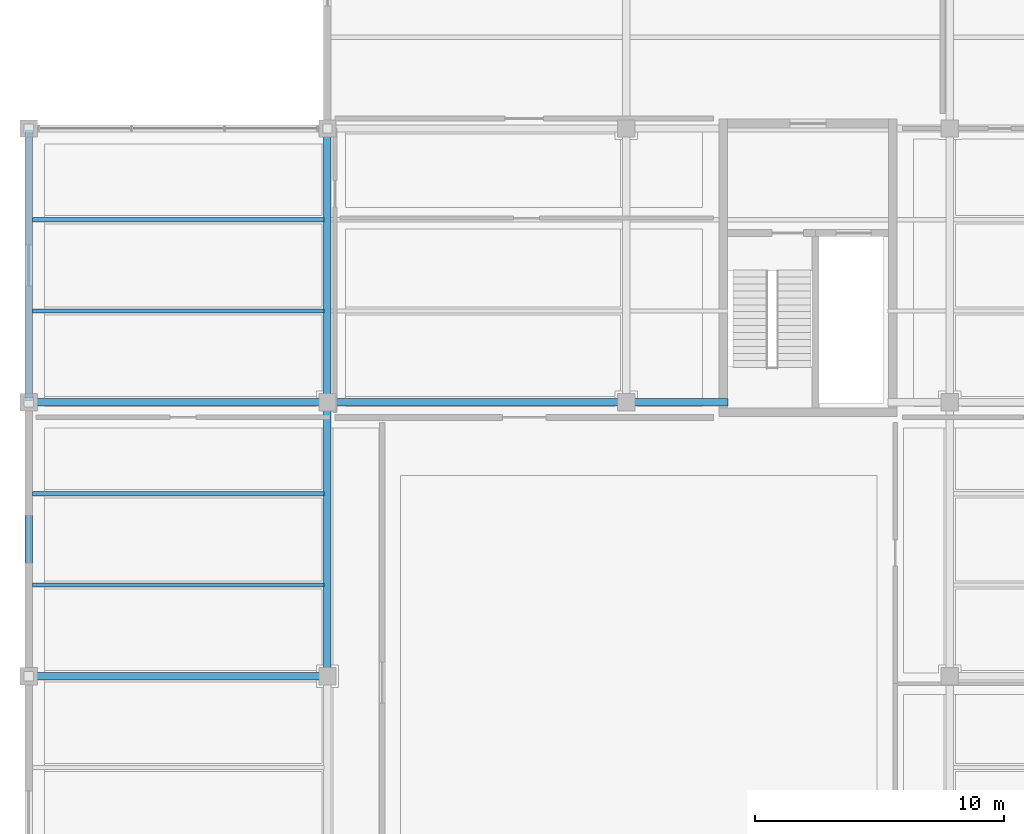
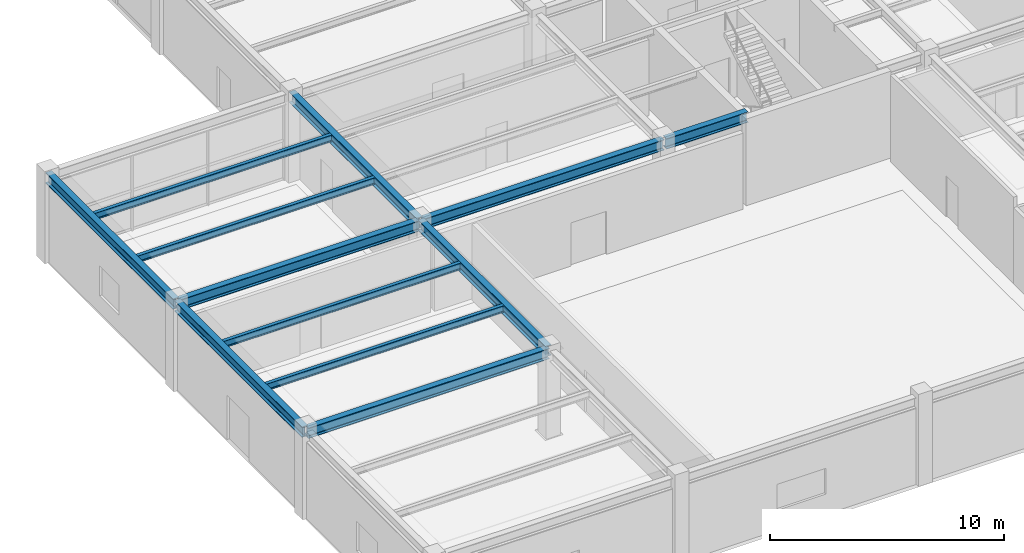
# One storey, part 48 of 108: 12 beams.
"""IFC4 building model written with IfcOpenShell, lengths in metres."""

from ifc_helpers import new_model, si_unit, direction, frame, origin, origin_2d, place, context, subcontext, project, spatial, i_section, extrude, material, material_profile, profile_set, type_object, element, save


model = new_model("IFC4")

# Units and contexts
model_context = context("Model", 3, precision=1e-05, world=origin(), true_north=direction((0.0, 1.0)))
body_context = subcontext(model_context, "Body", "Model", "MODEL_VIEW")
ifc_project = project(units=[si_unit("LENGTHUNIT", "METRE"), si_unit("AREAUNIT", "SQUARE_METRE"), si_unit("VOLUMEUNIT", "CUBIC_METRE"), si_unit("PLANEANGLEUNIT", "RADIAN"), si_unit("MASSUNIT", "GRAM", prefix="KILO")], contexts=[model_context])

# Site, building, storey
site_placement = place(None, origin())
site = spatial("IfcSite", under=ifc_project, at=site_placement, CompositionType="ELEMENT")
building_placement = place(site_placement, origin())
building = spatial("IfcBuilding", under=site, at=building_placement, Name="Tarnveldt Headland Concert Hall", CompositionType="ELEMENT")
storey_placement = place(building_placement, origin())
storey = spatial("IfcBuildingStorey", under=building, at=storey_placement, Name="L00", CompositionType="ELEMENT", Elevation=0.0)

# Beams
ifc_material = material(Name="Steel S355", Category="steel")
ifc_material_profile_1 = material_profile(ifc_material, i_section(OverallWidth=0.300048828125, OverallDepth=0.550048828125, WebThickness=0.014892578125, FlangeThickness=0.029052734375, FilletRadius=0.027099609375, at=origin_2d()), Name="HEB550", Category="steel")
ifc_profile_set_1 = profile_set([ifc_material_profile_1], Name="Steel S355")
beam_type_1 = type_object("IfcBeamType", Name="SB-HEB550", PredefinedType="BEAM", material=ifc_profile_set_1)
for number, where, z_axis, x_axis, name in (
    (1, (7.56005859375, 71.0, 4.2451171875), (1.0, 0.0, 0.0), (0.0, 1.0, 0.0), "Framing beam L00-610"),
    (2, (7.56005859375, 82.0, 4.2451171875), (1.0, 0.0, 0.0), (0.0, 1.0, 0.0), "Framing beam L00-612"),
    (3, (19.56005859375, 82.0, 4.2451171875), (1.0, 0.0, 0.0), (0.0, 1.0, 0.0), "Framing beam L00-613"),
):
    element("IfcBeam", number, at=place(storey_placement, frame(where, z_axis=z_axis, x_axis=x_axis)), inside=storey, type_object=beam_type_1, Name=name, PredefinedType="BEAM", context=body_context, shape_type="SweptSolid", body=[
        extrude(i_section(OverallWidth=0.300048828125, OverallDepth=0.550048828125, WebThickness=0.014892578125, FlangeThickness=0.029052734375, FilletRadius=0.027099609375, at=origin_2d()), origin(), (0.0, 0.0, 1.0), 11.8798828125),
    ])
beam_placement = place(storey_placement, frame((31.56005859375, 82.0, 4.2451171875), z_axis=(1.0, 0.0, 0.0), x_axis=(0.0, 1.0, 0.0)))
element("IfcBeam", 4, at=beam_placement, inside=storey, type_object=beam_type_1, Name="Framing beam L00-614", PredefinedType="BEAM", context=body_context, shape_type="SweptSolid", body=[
    extrude(i_section(OverallWidth=0.300048828125, OverallDepth=0.550048828125, WebThickness=0.014892578125, FlangeThickness=0.029052734375, FilletRadius=0.027099609375, at=origin_2d()), origin(), (0.0, 0.0, 1.0), 4.02001953125),
])
for number, where, z_axis, x_axis, name in (
    (5, (7.5, 71.06005859375, 4.2451171875), (0.0, 1.0, 0.0), (-1.0, 0.0, 0.0), "Framing beam L00-630"),
    (6, (7.5, 82.06005859375, 4.2451171875), (0.0, 1.0, 0.0), (-1.0, 0.0, 0.0), "Framing beam L00-633"),
    (7, (19.5, 71.06005859375, 4.2451171875), (0.0, 1.0, 0.0), (-1.0, 0.0, 0.0), "Framing beam L00-637"),
    (8, (19.5, 82.06005859375, 4.2451171875), (0.0, 1.0, 0.0), (-1.0, 0.0, 0.0), "Framing beam L00-638"),
):
    element("IfcBeam", number, at=place(storey_placement, frame(where, z_axis=z_axis, x_axis=x_axis)), inside=storey, type_object=beam_type_1, Name=name, PredefinedType="BEAM", context=body_context, shape_type="SweptSolid", body=[
        extrude(i_section(OverallWidth=0.300048828125, OverallDepth=0.550048828125, WebThickness=0.014892578125, FlangeThickness=0.029052734375, FilletRadius=0.027099609375, at=origin_2d()), origin(), (0.0, 0.0, 1.0), 10.8798828125),
    ])
ifc_material_profile_2 = material_profile(ifc_material, i_section(OverallWidth=0.169921875, OverallDepth=0.360107421875, WebThickness=0.008056640625, FlangeThickness=0.0126953125, FilletRadius=0.01806640625, at=origin_2d()), Name="IPE360", Category="steel")
ifc_profile_set_2 = profile_set([ifc_material_profile_2], Name="Steel S355")
beam_type_2 = type_object("IfcBeamType", Name="SB-IPE360", PredefinedType="JOIST", material=ifc_profile_set_2)
for number, where, z_axis, x_axis, name in (
    (9, (7.64990234375, 74.6669921875, 4.340087890625), (1.0, 0.0, 0.0), (0.0, 1.0, 0.0), "Framing beam L00-631"),
    (10, (7.64990234375, 78.3330078125, 4.340087890625), (1.0, 0.0, 0.0), (0.0, 1.0, 0.0), "Framing beam L00-632"),
    (11, (7.64990234375, 85.6669921875, 4.340087890625), (1.0, 0.0, 0.0), (0.0, 1.0, 0.0), "Framing beam L00-634"),
    (12, (7.64990234375, 89.3330078125, 4.340087890625), (1.0, 0.0, 0.0), (0.0, 1.0, 0.0), "Framing beam L00-635"),
):
    element("IfcBeam", number, at=place(storey_placement, frame(where, z_axis=z_axis, x_axis=x_axis)), inside=storey, type_object=beam_type_2, Name=name, PredefinedType="JOIST", context=body_context, shape_type="SweptSolid", body=[
        extrude(i_section(OverallWidth=0.169921875, OverallDepth=0.360107421875, WebThickness=0.008056640625, FlangeThickness=0.0126953125, FilletRadius=0.01806640625, at=origin_2d()), origin(), (0.0, 0.0, 1.0), 11.7001953125),
    ])

save(model, "model.ifc")
